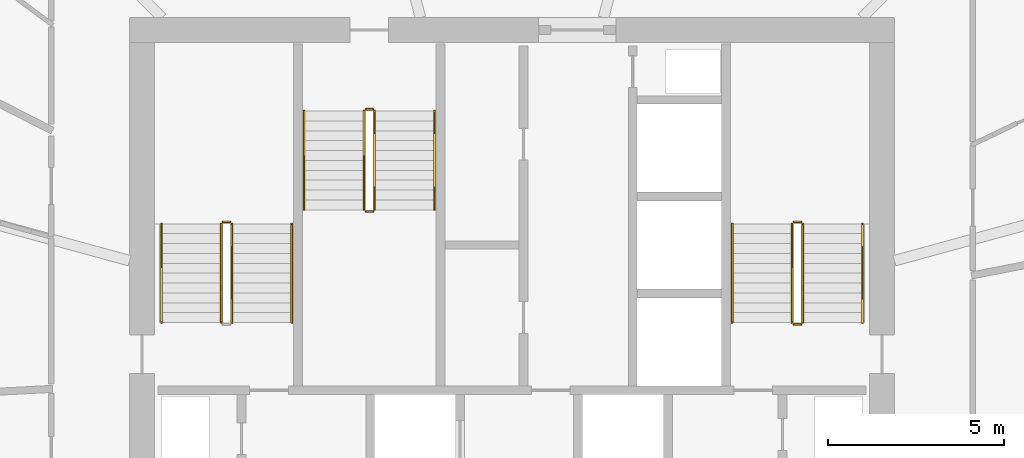
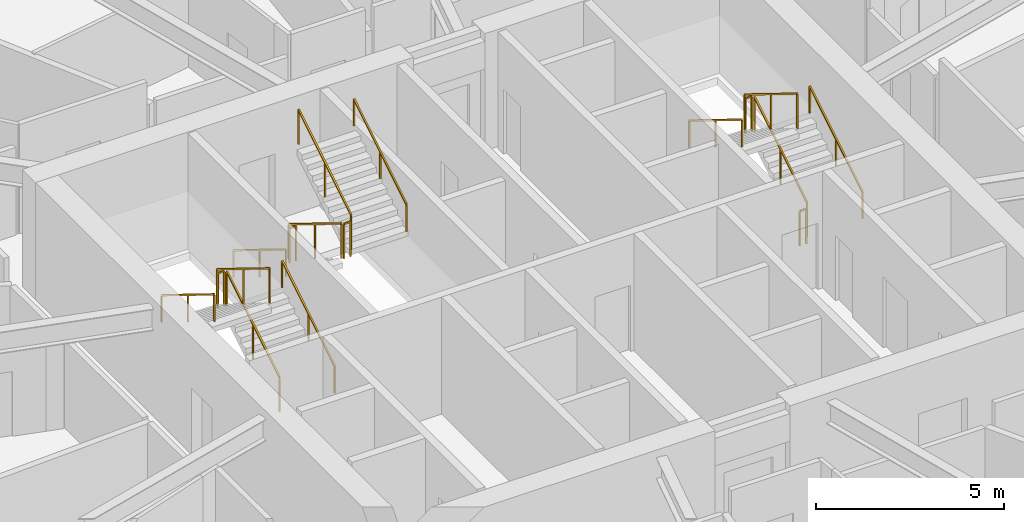
# One storey, part 28 of 29: 17 railings.
"""IFC4 building model written with IfcOpenShell, lengths in metres."""

from ifc_helpers import new_model, si_unit, direction, frame, origin, origin_2d, place, context, subcontext, project, spatial, rectangle, extrude, material, type_object, element, save


model = new_model("IFC4")

# Units and contexts
model_context = context("Model", 3, precision=1e-05, world=origin(), true_north=direction((0.0, 1.0)))
body_context = subcontext(model_context, "Body", "Model", "MODEL_VIEW")
ifc_project = project(units=[si_unit("LENGTHUNIT", "METRE"), si_unit("AREAUNIT", "SQUARE_METRE"), si_unit("VOLUMEUNIT", "CUBIC_METRE"), si_unit("PLANEANGLEUNIT", "RADIAN"), si_unit("MASSUNIT", "GRAM", prefix="KILO")], contexts=[model_context])

# Site, building, storey
site_placement = place(None, origin())
site = spatial("IfcSite", under=ifc_project, at=site_placement, CompositionType="ELEMENT")
building_placement = place(site_placement, origin())
building = spatial("IfcBuilding", under=site, at=building_placement, Name="Zuhravey Tower", CompositionType="ELEMENT")
storey_placement = place(building_placement, frame((0.0, 0.0, 134.199951171875)))
storey = spatial("IfcBuildingStorey", under=building, at=storey_placement, Name="L33", CompositionType="ELEMENT", Elevation=134.199951171875)

# Railings
ifc_material_1 = material(Name="Brushed stainless steel", Category="steel")
railing_type_1 = type_object("IfcRailingType", Name="Stair Wall Handrail 900", PredefinedType="HANDRAIL", material=ifc_material_1)
railing_1_placement = place(storey_placement, frame((29.75, 33.199951171875, 0.1728515625)))
element("IfcRailing", 1, at=railing_1_placement, inside=storey, type_object=railing_type_1, Name="L33 ST1 stair handrail 1", PredefinedType="HANDRAIL", context=body_context, shape_type="SweptSolid", body=[
    extrude(rectangle(XDim=0.048095703125, YDim=0.048095703125, at=origin_2d()), frame((0.0, 0.001708984375, 0.876953125), z_axis=(0.0, 0.851089632645, 0.525020415988), x_axis=(-1.0, 0.0, 0.0)), (0.0, 0.0, 1.0), 3.285888671875),
    extrude(rectangle(XDim=0.0419921875, YDim=0.0419921875, at=origin_2d()), origin(), (0.0, 0.0, 1.0), 0.849853515625),
    extrude(rectangle(XDim=0.0419921875, YDim=0.0419921875, at=origin_2d()), frame((0.0, 1.39990234375, 0.86376953125)), (0.0, 0.0, 1.0), 0.849853515625),
    extrude(rectangle(XDim=0.0419921875, YDim=0.0419921875, at=origin_2d()), frame((0.0, 2.800048828125, 1.727294921875)), (0.0, 0.0, 1.0), 0.849853515625),
])
railing_2_placement = place(storey_placement, frame((26.050048828125, 36.0, 2.07275390625)))
element("IfcRailing", 2, at=railing_2_placement, inside=storey, type_object=railing_type_1, Name="L33 ST1 stair handrail 2", PredefinedType="HANDRAIL", context=body_context, shape_type="SweptSolid", body=[
    extrude(rectangle(XDim=0.048095703125, YDim=0.048095703125, at=origin_2d()), frame((0.0, -0.001708984375, 0.876953125), z_axis=(0.0, -0.851089632645, 0.525020415988), x_axis=(1.0, 0.0, 0.0)), (0.0, 0.0, 1.0), 3.285888671875),
    extrude(rectangle(XDim=0.0419921875, YDim=0.0419921875, at=origin_2d()), origin(), (0.0, 0.0, 1.0), 0.849853515625),
    extrude(rectangle(XDim=0.0419921875, YDim=0.0419921875, at=origin_2d()), frame((0.0, -1.39990234375, 0.86376953125)), (0.0, 0.0, 1.0), 0.849853515625),
    extrude(rectangle(XDim=0.0419921875, YDim=0.0419921875, at=origin_2d()), frame((0.0, -2.800048828125, 1.727294921875)), (0.0, 0.0, 1.0), 0.849853515625),
])
railing_3_placement = place(storey_placement, frame((45.949951171875, 33.199951171875, 0.1728515625)))
element("IfcRailing", 3, at=railing_3_placement, inside=storey, type_object=railing_type_1, Name="L33 ST2 stair handrail 1", PredefinedType="HANDRAIL", context=body_context, shape_type="SweptSolid", body=[
    extrude(rectangle(XDim=0.048095703125, YDim=0.048095703125, at=origin_2d()), frame((0.0, 0.001708984375, 0.876953125), z_axis=(0.0, 0.851089632645, 0.525020415988), x_axis=(-1.0, 0.0, 0.0)), (0.0, 0.0, 1.0), 3.285888671875),
    extrude(rectangle(XDim=0.0419921875, YDim=0.0419921875, at=origin_2d()), origin(), (0.0, 0.0, 1.0), 0.849853515625),
    extrude(rectangle(XDim=0.0419921875, YDim=0.0419921875, at=origin_2d()), frame((0.0, 1.39990234375, 0.86376953125)), (0.0, 0.0, 1.0), 0.849853515625),
    extrude(rectangle(XDim=0.0419921875, YDim=0.0419921875, at=origin_2d()), frame((0.0, 2.800048828125, 1.727294921875)), (0.0, 0.0, 1.0), 0.849853515625),
])
for number, where, name in (
    (4, (42.25, 36.0, 2.07275390625), "L33 ST2 stair handrail 2"),
    (5, (30.10009765625, 39.199951171875, 0.1728515625), "L33 ST3 stair handrail 1"),
):
    element("IfcRailing", number, at=place(storey_placement, frame(where)), inside=storey, type_object=railing_type_1, Name=name, PredefinedType="HANDRAIL", context=body_context, shape_type="SweptSolid", body=[
        extrude(rectangle(XDim=0.048095703125, YDim=0.048095703125, at=origin_2d()), frame((0.0, -0.001708984375, 0.876953125), z_axis=(0.0, -0.851089632645, 0.525020415988), x_axis=(1.0, 0.0, 0.0)), (0.0, 0.0, 1.0), 3.285888671875),
        extrude(rectangle(XDim=0.0419921875, YDim=0.0419921875, at=origin_2d()), origin(), (0.0, 0.0, 1.0), 0.849853515625),
        extrude(rectangle(XDim=0.0419921875, YDim=0.0419921875, at=origin_2d()), frame((0.0, -1.39990234375, 0.86376953125)), (0.0, 0.0, 1.0), 0.849853515625),
        extrude(rectangle(XDim=0.0419921875, YDim=0.0419921875, at=origin_2d()), frame((0.0, -2.800048828125, 1.727294921875)), (0.0, 0.0, 1.0), 0.849853515625),
    ])
railing_4_placement = place(storey_placement, frame((33.800048828125, 36.39990234375, 2.07275390625)))
element("IfcRailing", 6, at=railing_4_placement, inside=storey, type_object=railing_type_1, Name="L33 ST3 stair handrail 2", PredefinedType="HANDRAIL", context=body_context, shape_type="SweptSolid", body=[
    extrude(rectangle(XDim=0.048095703125, YDim=0.048095703125, at=origin_2d()), frame((0.0, 0.001708984375, 0.876953125), z_axis=(0.0, 0.851089632645, 0.525020415988), x_axis=(-1.0, 0.0, 0.0)), (0.0, 0.0, 1.0), 3.285888671875),
    extrude(rectangle(XDim=0.0419921875, YDim=0.0419921875, at=origin_2d()), origin(), (0.0, 0.0, 1.0), 0.849853515625),
    extrude(rectangle(XDim=0.0419921875, YDim=0.0419921875, at=origin_2d()), frame((0.0, 1.39990234375, 0.86376953125)), (0.0, 0.0, 1.0), 0.849853515625),
    extrude(rectangle(XDim=0.0419921875, YDim=0.0419921875, at=origin_2d()), frame((0.0, 2.800048828125, 1.727294921875)), (0.0, 0.0, 1.0), 0.849853515625),
])
ifc_material_2 = material(Name="Painted tubular steel", Category="steel")
railing_type_2 = type_object("IfcRailingType", Name="Stair Well Guardrail 1150", PredefinedType="GUARDRAIL", material=ifc_material_2)
railing_5_placement = place(storey_placement, frame((28.050048828125, 33.199951171875, 0.1728515625)))
element("IfcRailing", 7, at=railing_5_placement, inside=storey, type_object=railing_type_2, Name="L33 ST1 stair guard 1", PredefinedType="GUARDRAIL", context=body_context, shape_type="SweptSolid", body=[
    extrude(rectangle(XDim=0.048095703125, YDim=0.048095703125, at=origin_2d()), frame((0.0, 0.001708984375, 1.126953125), z_axis=(0.0, 0.851089632645, 0.525020415988), x_axis=(-1.0, 0.0, 0.0)), (0.0, 0.0, 1.0), 3.285888671875),
    extrude(rectangle(XDim=0.0419921875, YDim=0.0419921875, at=origin_2d()), origin(), (0.0, 0.0, 1.0), 1.099853515625),
    extrude(rectangle(XDim=0.0419921875, YDim=0.0419921875, at=origin_2d()), frame((0.0, 1.39990234375, 0.86376953125)), (0.0, 0.0, 1.0), 1.099853515625),
    extrude(rectangle(XDim=0.0419921875, YDim=0.0419921875, at=origin_2d()), frame((0.0, 2.800048828125, 1.727294921875)), (0.0, 0.0, 1.0), 1.099853515625),
])
railing_6_placement = place(storey_placement, frame((28.0, 36.050048828125, 1.900146484375)))
element("IfcRailing", 8, at=railing_6_placement, inside=storey, type_object=railing_type_2, Name="L33 ST1 stair guard 2", PredefinedType="GUARDRAIL", context=body_context, shape_type="SweptSolid", body=[
    extrude(rectangle(XDim=0.048095703125, YDim=0.048095703125, at=origin_2d()), frame((-0.001953125, 0.0, 1.1259765625), z_axis=(-1.0, 0.0, 0.0), x_axis=(0.0, -1.0, 0.0)), (0.0, 0.0, 1.0), 0.196044921875),
    extrude(rectangle(XDim=0.0419921875, YDim=0.0419921875, at=origin_2d()), origin(), (0.0, 0.0, 1.0), 1.099853515625),
    extrude(rectangle(XDim=0.0419921875, YDim=0.0419921875, at=origin_2d()), frame((-0.199951171875, 0.0, 0.0)), (0.0, 0.0, 1.0), 1.099853515625),
])
railing_7_placement = place(storey_placement, frame((27.75, 36.0, 2.07275390625)))
element("IfcRailing", 9, at=railing_7_placement, inside=storey, type_object=railing_type_2, Name="L33 ST1 stair guard 3", PredefinedType="GUARDRAIL", context=body_context, shape_type="SweptSolid", body=[
    extrude(rectangle(XDim=0.048095703125, YDim=0.048095703125, at=origin_2d()), frame((0.0, -0.001708984375, 1.126953125), z_axis=(0.0, -0.851089632645, 0.525020415988), x_axis=(1.0, 0.0, 0.0)), (0.0, 0.0, 1.0), 3.285888671875),
    extrude(rectangle(XDim=0.0419921875, YDim=0.0419921875, at=origin_2d()), origin(), (0.0, 0.0, 1.0), 1.099853515625),
    extrude(rectangle(XDim=0.0419921875, YDim=0.0419921875, at=origin_2d()), frame((0.0, -1.39990234375, 0.86376953125)), (0.0, 0.0, 1.0), 1.099853515625),
    extrude(rectangle(XDim=0.0419921875, YDim=0.0419921875, at=origin_2d()), frame((0.0, -2.800048828125, 1.727294921875)), (0.0, 0.0, 1.0), 1.099853515625),
])
railing_8_placement = place(storey_placement, frame((44.25, 33.199951171875, 0.1728515625)))
element("IfcRailing", 10, at=railing_8_placement, inside=storey, type_object=railing_type_2, Name="L33 ST2 stair guard 1", PredefinedType="GUARDRAIL", context=body_context, shape_type="SweptSolid", body=[
    extrude(rectangle(XDim=0.048095703125, YDim=0.048095703125, at=origin_2d()), frame((0.0, 0.001708984375, 1.126953125), z_axis=(0.0, 0.851089632645, 0.525020415988), x_axis=(-1.0, 0.0, 0.0)), (0.0, 0.0, 1.0), 3.285888671875),
    extrude(rectangle(XDim=0.0419921875, YDim=0.0419921875, at=origin_2d()), origin(), (0.0, 0.0, 1.0), 1.099853515625),
    extrude(rectangle(XDim=0.0419921875, YDim=0.0419921875, at=origin_2d()), frame((0.0, 1.39990234375, 0.86376953125)), (0.0, 0.0, 1.0), 1.099853515625),
    extrude(rectangle(XDim=0.0419921875, YDim=0.0419921875, at=origin_2d()), frame((0.0, 2.800048828125, 1.727294921875)), (0.0, 0.0, 1.0), 1.099853515625),
])
railing_9_placement = place(storey_placement, frame((44.199951171875, 36.050048828125, 1.900146484375)))
element("IfcRailing", 11, at=railing_9_placement, inside=storey, type_object=railing_type_2, Name="L33 ST2 stair guard 2", PredefinedType="GUARDRAIL", context=body_context, shape_type="SweptSolid", body=[
    extrude(rectangle(XDim=0.048095703125, YDim=0.048095703125, at=origin_2d()), frame((-0.001953125, 0.0, 1.1259765625), z_axis=(-1.0, 0.0, 0.0), x_axis=(0.0, -1.0, 0.0)), (0.0, 0.0, 1.0), 0.196044921875),
    extrude(rectangle(XDim=0.0419921875, YDim=0.0419921875, at=origin_2d()), origin(), (0.0, 0.0, 1.0), 1.099853515625),
    extrude(rectangle(XDim=0.0419921875, YDim=0.0419921875, at=origin_2d()), frame((-0.199951171875, 0.0, 0.0)), (0.0, 0.0, 1.0), 1.099853515625),
])
railing_10_placement = place(storey_placement, frame((43.949951171875, 36.0, 2.07275390625)))
element("IfcRailing", 12, at=railing_10_placement, inside=storey, type_object=railing_type_2, Name="L33 ST2 stair guard 3", PredefinedType="GUARDRAIL", context=body_context, shape_type="SweptSolid", body=[
    extrude(rectangle(XDim=0.048095703125, YDim=0.048095703125, at=origin_2d()), frame((0.0, -0.001708984375, 1.126953125), z_axis=(0.0, -0.851089632645, 0.525020415988), x_axis=(1.0, 0.0, 0.0)), (0.0, 0.0, 1.0), 3.285888671875),
    extrude(rectangle(XDim=0.0419921875, YDim=0.0419921875, at=origin_2d()), origin(), (0.0, 0.0, 1.0), 1.099853515625),
    extrude(rectangle(XDim=0.0419921875, YDim=0.0419921875, at=origin_2d()), frame((0.0, -1.39990234375, 0.86376953125)), (0.0, 0.0, 1.0), 1.099853515625),
    extrude(rectangle(XDim=0.0419921875, YDim=0.0419921875, at=origin_2d()), frame((0.0, -2.800048828125, 1.727294921875)), (0.0, 0.0, 1.0), 1.099853515625),
])
railing_11_placement = place(storey_placement, frame((44.199951171875, 33.14990234375, 0.0)))
element("IfcRailing", 13, at=railing_11_placement, inside=storey, type_object=railing_type_2, Name="L33 ST2 stair guard 4", PredefinedType="GUARDRAIL", context=body_context, shape_type="SweptSolid", body=[
    extrude(rectangle(XDim=0.048095703125, YDim=0.048095703125, at=origin_2d()), frame((-0.001953125, 0.0, 1.1259765625), z_axis=(-1.0, 0.0, 0.0), x_axis=(0.0, -1.0, 0.0)), (0.0, 0.0, 1.0), 0.196044921875),
    extrude(rectangle(XDim=0.0419921875, YDim=0.0419921875, at=origin_2d()), origin(), (0.0, 0.0, 1.0), 1.099853515625),
    extrude(rectangle(XDim=0.0419921875, YDim=0.0419921875, at=origin_2d()), frame((-0.199951171875, 0.0, 0.0)), (0.0, 0.0, 1.0), 1.099853515625),
])
railing_12_placement = place(storey_placement, frame((31.800048828125, 39.199951171875, 0.1728515625)))
element("IfcRailing", 14, at=railing_12_placement, inside=storey, type_object=railing_type_2, Name="L33 ST3 stair guard 1", PredefinedType="GUARDRAIL", context=body_context, shape_type="SweptSolid", body=[
    extrude(rectangle(XDim=0.048095703125, YDim=0.048095703125, at=origin_2d()), frame((0.0, -0.001708984375, 1.126953125), z_axis=(0.0, -0.851089632645, 0.525020415988), x_axis=(1.0, 0.0, 0.0)), (0.0, 0.0, 1.0), 3.285888671875),
    extrude(rectangle(XDim=0.0419921875, YDim=0.0419921875, at=origin_2d()), origin(), (0.0, 0.0, 1.0), 1.099853515625),
    extrude(rectangle(XDim=0.0419921875, YDim=0.0419921875, at=origin_2d()), frame((0.0, -1.39990234375, 0.86376953125)), (0.0, 0.0, 1.0), 1.099853515625),
    extrude(rectangle(XDim=0.0419921875, YDim=0.0419921875, at=origin_2d()), frame((0.0, -2.800048828125, 1.727294921875)), (0.0, 0.0, 1.0), 1.099853515625),
])
railing_13_placement = place(storey_placement, frame((31.85009765625, 36.35009765625, 1.900146484375)))
element("IfcRailing", 15, at=railing_13_placement, inside=storey, type_object=railing_type_2, Name="L33 ST3 stair guard 2", PredefinedType="GUARDRAIL", context=body_context, shape_type="SweptSolid", body=[
    extrude(rectangle(XDim=0.048095703125, YDim=0.048095703125, at=origin_2d()), frame((0.001953125, 0.0, 1.1259765625), z_axis=(1.0, 0.0, 0.0), x_axis=(0.0, 1.0, 0.0)), (0.0, 0.0, 1.0), 0.196044921875),
    extrude(rectangle(XDim=0.0419921875, YDim=0.0419921875, at=origin_2d()), origin(), (0.0, 0.0, 1.0), 1.099853515625),
    extrude(rectangle(XDim=0.0419921875, YDim=0.0419921875, at=origin_2d()), frame((0.199951171875, 0.0, 0.0)), (0.0, 0.0, 1.0), 1.099853515625),
])
railing_14_placement = place(storey_placement, frame((32.10009765625, 36.39990234375, 2.07275390625)))
element("IfcRailing", 16, at=railing_14_placement, inside=storey, type_object=railing_type_2, Name="L33 ST3 stair guard 3", PredefinedType="GUARDRAIL", context=body_context, shape_type="SweptSolid", body=[
    extrude(rectangle(XDim=0.048095703125, YDim=0.048095703125, at=origin_2d()), frame((0.0, 0.001708984375, 1.126953125), z_axis=(0.0, 0.851089632645, 0.525020415988), x_axis=(-1.0, 0.0, 0.0)), (0.0, 0.0, 1.0), 3.285888671875),
    extrude(rectangle(XDim=0.0419921875, YDim=0.0419921875, at=origin_2d()), origin(), (0.0, 0.0, 1.0), 1.099853515625),
    extrude(rectangle(XDim=0.0419921875, YDim=0.0419921875, at=origin_2d()), frame((0.0, 1.39990234375, 0.86376953125)), (0.0, 0.0, 1.0), 1.099853515625),
    extrude(rectangle(XDim=0.0419921875, YDim=0.0419921875, at=origin_2d()), frame((0.0, 2.800048828125, 1.727294921875)), (0.0, 0.0, 1.0), 1.099853515625),
])
railing_15_placement = place(storey_placement, frame((31.85009765625, 39.25, 0.0)))
element("IfcRailing", 17, at=railing_15_placement, inside=storey, type_object=railing_type_2, Name="L33 ST3 stair guard 4", PredefinedType="GUARDRAIL", context=body_context, shape_type="SweptSolid", body=[
    extrude(rectangle(XDim=0.048095703125, YDim=0.048095703125, at=origin_2d()), frame((0.001953125, 0.0, 1.1259765625), z_axis=(1.0, 0.0, 0.0), x_axis=(0.0, 1.0, 0.0)), (0.0, 0.0, 1.0), 0.196044921875),
    extrude(rectangle(XDim=0.0419921875, YDim=0.0419921875, at=origin_2d()), origin(), (0.0, 0.0, 1.0), 1.099853515625),
    extrude(rectangle(XDim=0.0419921875, YDim=0.0419921875, at=origin_2d()), frame((0.199951171875, 0.0, 0.0)), (0.0, 0.0, 1.0), 1.099853515625),
])

save(model, "model.ifc")
